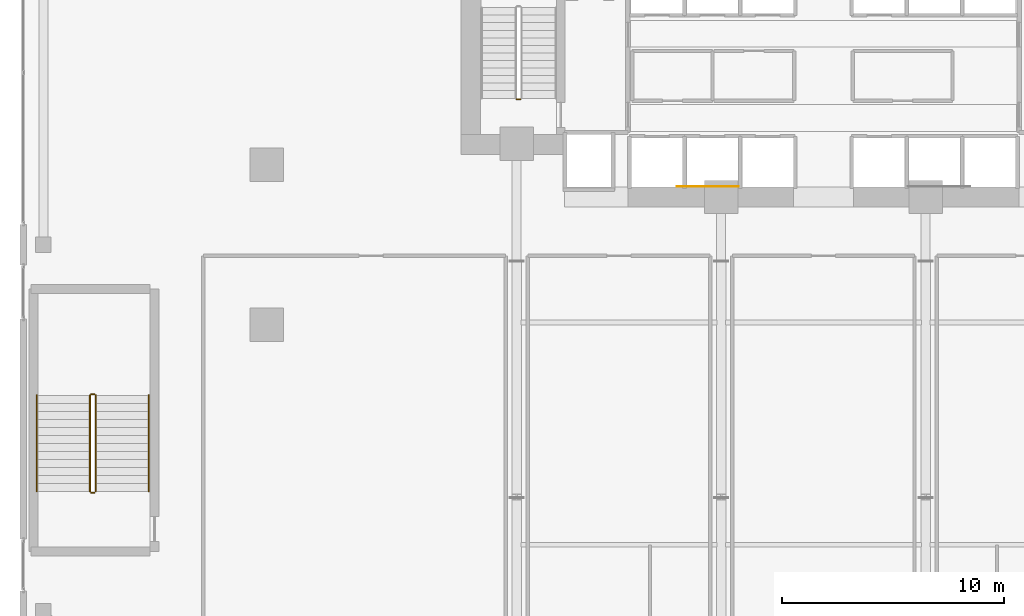
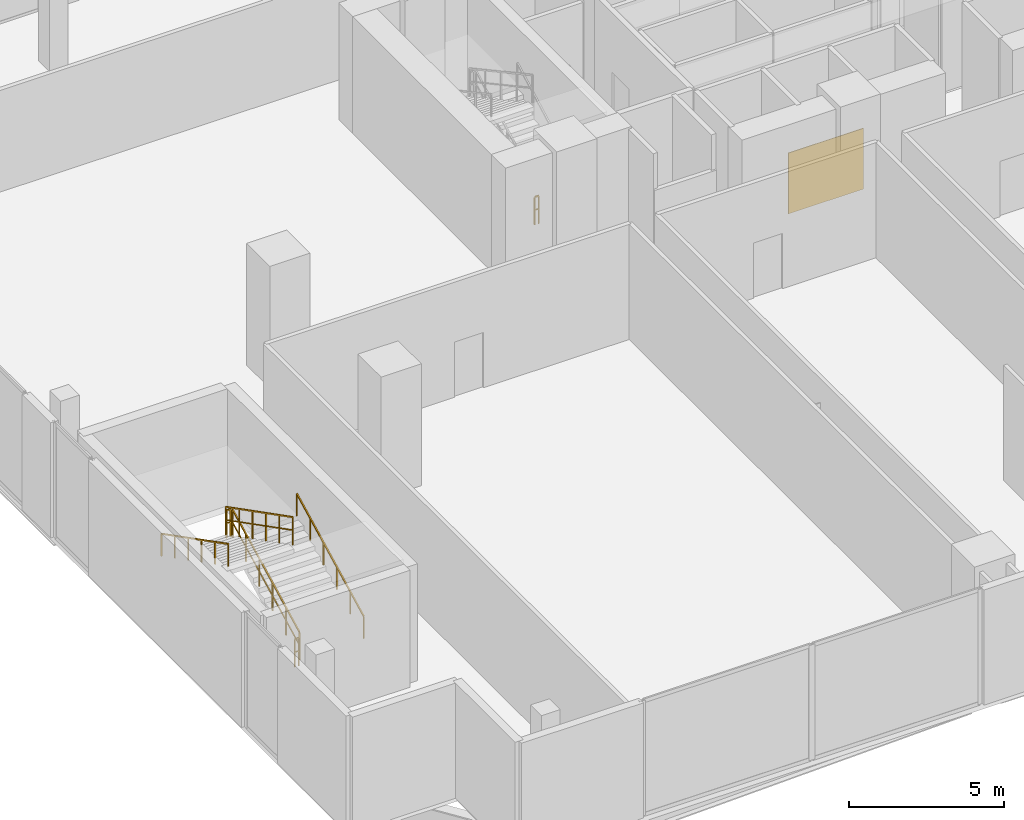
# One storey, part 30 of 33: 7 railings, 1 covering.
"""IFC4 building model written with IfcOpenShell, lengths in metres."""

from ifc_helpers import new_model, si_unit, direction, frame, origin, origin_2d, place, context, subcontext, project, spatial, rectangle, extrude, material, layer, layer_set, type_object, element, save


model = new_model("IFC4")

# Units and contexts
model_context = context("Model", 3, precision=1e-05, world=origin(), true_north=direction((0.0, 1.0)))
body_context = subcontext(model_context, "Body", "Model", "MODEL_VIEW")
ifc_project = project(units=[si_unit("LENGTHUNIT", "METRE"), si_unit("AREAUNIT", "SQUARE_METRE"), si_unit("VOLUMEUNIT", "CUBIC_METRE"), si_unit("PLANEANGLEUNIT", "RADIAN"), si_unit("MASSUNIT", "GRAM", prefix="KILO")], contexts=[model_context])

# Site, building, storey
site_placement = place(None, origin())
site = spatial("IfcSite", under=ifc_project, at=site_placement, CompositionType="ELEMENT")
building_placement = place(site_placement, origin())
building = spatial("IfcBuilding", under=site, at=building_placement, Name="Zuhayl Quay Hotel", CompositionType="ELEMENT")
storey_placement = place(building_placement, frame((0.0, 0.0, 18.0)))
storey = spatial("IfcBuildingStorey", under=building, at=storey_placement, Name="L03", CompositionType="ELEMENT", Elevation=18.0)

# Covering
ifc_material_1 = material(Name="Acoustic Walnut Feature Timber", Category="wood")
ifc_layer = layer(ifc_material_1, 0.02197265625, Name="Acoustic Walnut Feature Timber", Category="wood")
ifc_layer_set = layer_set([ifc_layer], Name="Acoustic Walnut Feature Timber")
covering_type = type_object("IfcCoveringType", Name="CV_WALL_CLAD", PredefinedType="CLADDING", material=ifc_layer_set)
covering_placement = place(storey_placement, frame((-5.199951171875, 2.611083984375, 0.300048828125), z_axis=(0.0, 0.0, 1.0), x_axis=(1.0, 0.0, 0.0)))
element("IfcCovering", 1, at=covering_placement, inside=storey, type_object=covering_type, Name="L03 Feature Lobby Walnut Wall Cladding W", PredefinedType="CLADDING", context=body_context, shape_type="SweptSolid", body=[
    extrude(rectangle(XDim=2.800048828125, YDim=0.02197265625, at=origin_2d()), origin(), (0.0, 0.0, 1.0), 2.39990234375),
])

# Railings
ifc_material_2 = material(Name="Steel ASTM A992 Grade 50", Category="steel")
railing_type_1 = type_object("IfcRailingType", Name="RL_GUARD_1100", PredefinedType="GUARDRAIL", material=ifc_material_2)
railing_1_placement = place(storey_placement, frame((-13.639892578125, 6.5400390625, 0.0)))
element("IfcRailing", 2, at=railing_1_placement, inside=storey, type_object=railing_type_1, Name="L03 ST1 stair guard 4", PredefinedType="GUARDRAIL", context=body_context, shape_type="SweptSolid", body=[
    extrude(rectangle(XDim=0.048095703125, YDim=0.048095703125, at=origin_2d()), frame((0.0, 0.0, 1.09619140625), z_axis=(-1.0, 0.0, 0.0), x_axis=(0.0, -1.0, 0.0)), (0.0, 0.0, 1.0), 0.150146484375),
    extrude(rectangle(XDim=0.0361328125, YDim=0.0361328125, at=origin_2d()), frame((0.0, 0.0, 0.58251953125), z_axis=(-1.0, 0.0, 0.0), x_axis=(0.0, -1.0, 0.0)), (0.0, 0.0, 1.0), 0.150146484375),
    extrude(rectangle(XDim=0.0419921875, YDim=0.0419921875, at=origin_2d()), origin(), (0.0, 0.0, 1.0), 1.072021484375),
    extrude(rectangle(XDim=0.0419921875, YDim=0.0419921875, at=origin_2d()), frame((-0.150146484375, 0.0, 0.0)), (0.0, 0.0, 1.0), 1.072021484375),
])
railing_2_placement = place(storey_placement, frame((-32.75, -11.10009765625, 0.1845703125)))
element("IfcRailing", 3, at=railing_2_placement, inside=storey, type_object=railing_type_1, Name="L03 ST3 stair guard 1", PredefinedType="GUARDRAIL", context=body_context, shape_type="SweptSolid", body=[
    extrude(rectangle(XDim=0.048095703125, YDim=0.048095703125, at=origin_2d()), frame((0.0, 0.0, 1.09619140625), z_axis=(0.0, 0.889824792371, 0.456302354675), x_axis=(-1.0, 0.0, 0.0)), (0.0, 0.0, 1.0), 4.85498046875),
    extrude(rectangle(XDim=0.0361328125, YDim=0.0361328125, at=origin_2d()), frame((0.0, 0.0, 0.58251953125), z_axis=(0.0, 0.889824792371, 0.456302354675), x_axis=(-1.0, 0.0, 0.0)), (0.0, 0.0, 1.0), 4.85498046875),
    extrude(rectangle(XDim=0.0419921875, YDim=0.0419921875, at=origin_2d()), origin(), (0.0, 0.0, 1.0), 1.072021484375),
    extrude(rectangle(XDim=0.0419921875, YDim=0.0419921875, at=origin_2d()), frame((0.0, 0.864013671875, 0.443115234375)), (0.0, 0.0, 1.0), 1.072021484375),
    extrude(rectangle(XDim=0.0419921875, YDim=0.0419921875, at=origin_2d()), frame((0.0, 1.72802734375, 0.88623046875)), (0.0, 0.0, 1.0), 1.072021484375),
    extrude(rectangle(XDim=0.0419921875, YDim=0.0419921875, at=origin_2d()), frame((0.0, 2.592041015625, 1.3291015625)), (0.0, 0.0, 1.0), 1.072021484375),
    extrude(rectangle(XDim=0.0419921875, YDim=0.0419921875, at=origin_2d()), frame((0.0, 3.4560546875, 1.772216796875)), (0.0, 0.0, 1.0), 1.072021484375),
    extrude(rectangle(XDim=0.0419921875, YDim=0.0419921875, at=origin_2d()), frame((0.0, 4.320068359375, 2.21533203125)), (0.0, 0.0, 1.0), 1.072021484375),
])
railing_3_placement = place(storey_placement, frame((-32.800048828125, -6.72998046875, 2.39990234375)))
element("IfcRailing", 4, at=railing_3_placement, inside=storey, type_object=railing_type_1, Name="L03 ST3 stair guard 2", PredefinedType="GUARDRAIL", context=body_context, shape_type="SweptSolid", body=[
    extrude(rectangle(XDim=0.048095703125, YDim=0.048095703125, at=origin_2d()), frame((0.0, 0.0, 1.09619140625), z_axis=(-1.0, 0.0, 0.0), x_axis=(0.0, -1.0, 0.0)), (0.0, 0.0, 1.0), 0.14990234375),
    extrude(rectangle(XDim=0.0361328125, YDim=0.0361328125, at=origin_2d()), frame((0.0, 0.0, 0.58251953125), z_axis=(-1.0, 0.0, 0.0), x_axis=(0.0, -1.0, 0.0)), (0.0, 0.0, 1.0), 0.14990234375),
    extrude(rectangle(XDim=0.0419921875, YDim=0.0419921875, at=origin_2d()), origin(), (0.0, 0.0, 1.0), 1.072021484375),
    extrude(rectangle(XDim=0.0419921875, YDim=0.0419921875, at=origin_2d()), frame((-0.14990234375, 0.0, 0.0)), (0.0, 0.0, 1.0), 1.072021484375),
])
railing_4_placement = place(storey_placement, frame((-33.0, -6.780029296875, 2.584716796875)))
element("IfcRailing", 5, at=railing_4_placement, inside=storey, type_object=railing_type_1, Name="L03 ST3 stair guard 3", PredefinedType="GUARDRAIL", context=body_context, shape_type="SweptSolid", body=[
    extrude(rectangle(XDim=0.048095703125, YDim=0.048095703125, at=origin_2d()), frame((0.0, 0.0, 1.09619140625), z_axis=(0.0, -0.889824792371, 0.456302354675), x_axis=(1.0, 0.0, 0.0)), (0.0, 0.0, 1.0), 4.85498046875),
    extrude(rectangle(XDim=0.0361328125, YDim=0.0361328125, at=origin_2d()), frame((0.0, 0.0, 0.58251953125), z_axis=(0.0, -0.889824792371, 0.456302354675), x_axis=(1.0, 0.0, 0.0)), (0.0, 0.0, 1.0), 4.85498046875),
    extrude(rectangle(XDim=0.0419921875, YDim=0.0419921875, at=origin_2d()), origin(), (0.0, 0.0, 1.0), 1.072021484375),
    extrude(rectangle(XDim=0.0419921875, YDim=0.0419921875, at=origin_2d()), frame((0.0, -0.864013671875, 0.443115234375)), (0.0, 0.0, 1.0), 1.072021484375),
    extrude(rectangle(XDim=0.0419921875, YDim=0.0419921875, at=origin_2d()), frame((0.0, -1.72802734375, 0.88623046875)), (0.0, 0.0, 1.0), 1.072021484375),
    extrude(rectangle(XDim=0.0419921875, YDim=0.0419921875, at=origin_2d()), frame((0.0, -2.592041015625, 1.3291015625)), (0.0, 0.0, 1.0), 1.072021484375),
    extrude(rectangle(XDim=0.0419921875, YDim=0.0419921875, at=origin_2d()), frame((0.0, -3.4560546875, 1.772216796875)), (0.0, 0.0, 1.0), 1.072021484375),
    extrude(rectangle(XDim=0.0419921875, YDim=0.0419921875, at=origin_2d()), frame((0.0, -4.320068359375, 2.21533203125)), (0.0, 0.0, 1.0), 1.072021484375),
])
railing_5_placement = place(storey_placement, frame((-32.800048828125, -11.14990234375, 0.0)))
element("IfcRailing", 6, at=railing_5_placement, inside=storey, type_object=railing_type_1, Name="L03 ST3 stair guard 4", PredefinedType="GUARDRAIL", context=body_context, shape_type="SweptSolid", body=[
    extrude(rectangle(XDim=0.048095703125, YDim=0.048095703125, at=origin_2d()), frame((0.0, 0.0, 1.09619140625), z_axis=(-1.0, 0.0, 0.0), x_axis=(0.0, -1.0, 0.0)), (0.0, 0.0, 1.0), 0.14990234375),
    extrude(rectangle(XDim=0.0361328125, YDim=0.0361328125, at=origin_2d()), frame((0.0, 0.0, 0.58251953125), z_axis=(-1.0, 0.0, 0.0), x_axis=(0.0, -1.0, 0.0)), (0.0, 0.0, 1.0), 0.14990234375),
    extrude(rectangle(XDim=0.0419921875, YDim=0.0419921875, at=origin_2d()), origin(), (0.0, 0.0, 1.0), 1.072021484375),
    extrude(rectangle(XDim=0.0419921875, YDim=0.0419921875, at=origin_2d()), frame((-0.14990234375, 0.0, 0.0)), (0.0, 0.0, 1.0), 1.072021484375),
])
railing_type_2 = type_object("IfcRailingType", Name="RL_HANDRAIL_920", PredefinedType="HANDRAIL", material=ifc_material_2)
railing_6_placement = place(storey_placement, frame((-30.35009765625, -11.10009765625, 0.1845703125)))
element("IfcRailing", 7, at=railing_6_placement, inside=storey, type_object=railing_type_2, Name="L03 ST3 stair handrail 1", PredefinedType="HANDRAIL", context=body_context, shape_type="SweptSolid", body=[
    extrude(rectangle(XDim=0.048095703125, YDim=0.048095703125, at=origin_2d()), frame((0.0, 0.0, 0.8759765625), z_axis=(0.0, 0.889824792371, 0.456302354675), x_axis=(-1.0, 0.0, 0.0)), (0.0, 0.0, 1.0), 4.85498046875),
    extrude(rectangle(XDim=0.0419921875, YDim=0.0419921875, at=origin_2d()), origin(), (0.0, 0.0, 1.0), 0.851806640625),
    extrude(rectangle(XDim=0.0419921875, YDim=0.0419921875, at=origin_2d()), frame((0.0, 0.864013671875, 0.443115234375)), (0.0, 0.0, 1.0), 0.851806640625),
    extrude(rectangle(XDim=0.0419921875, YDim=0.0419921875, at=origin_2d()), frame((0.0, 1.72802734375, 0.88623046875)), (0.0, 0.0, 1.0), 0.851806640625),
    extrude(rectangle(XDim=0.0419921875, YDim=0.0419921875, at=origin_2d()), frame((0.0, 2.592041015625, 1.3291015625)), (0.0, 0.0, 1.0), 0.851806640625),
    extrude(rectangle(XDim=0.0419921875, YDim=0.0419921875, at=origin_2d()), frame((0.0, 3.4560546875, 1.772216796875)), (0.0, 0.0, 1.0), 0.851806640625),
    extrude(rectangle(XDim=0.0419921875, YDim=0.0419921875, at=origin_2d()), frame((0.0, 4.320068359375, 2.21533203125)), (0.0, 0.0, 1.0), 0.851806640625),
])
railing_7_placement = place(storey_placement, frame((-35.39990234375, -6.780029296875, 2.584716796875)))
element("IfcRailing", 8, at=railing_7_placement, inside=storey, type_object=railing_type_2, Name="L03 ST3 stair handrail 2", PredefinedType="HANDRAIL", context=body_context, shape_type="SweptSolid", body=[
    extrude(rectangle(XDim=0.048095703125, YDim=0.048095703125, at=origin_2d()), frame((0.0, 0.0, 0.8759765625), z_axis=(0.0, -0.889824792371, 0.456302354675), x_axis=(1.0, 0.0, 0.0)), (0.0, 0.0, 1.0), 4.85498046875),
    extrude(rectangle(XDim=0.0419921875, YDim=0.0419921875, at=origin_2d()), origin(), (0.0, 0.0, 1.0), 0.851806640625),
    extrude(rectangle(XDim=0.0419921875, YDim=0.0419921875, at=origin_2d()), frame((0.0, -0.864013671875, 0.443115234375)), (0.0, 0.0, 1.0), 0.851806640625),
    extrude(rectangle(XDim=0.0419921875, YDim=0.0419921875, at=origin_2d()), frame((0.0, -1.72802734375, 0.88623046875)), (0.0, 0.0, 1.0), 0.851806640625),
    extrude(rectangle(XDim=0.0419921875, YDim=0.0419921875, at=origin_2d()), frame((0.0, -2.592041015625, 1.3291015625)), (0.0, 0.0, 1.0), 0.851806640625),
    extrude(rectangle(XDim=0.0419921875, YDim=0.0419921875, at=origin_2d()), frame((0.0, -3.4560546875, 1.772216796875)), (0.0, 0.0, 1.0), 0.851806640625),
    extrude(rectangle(XDim=0.0419921875, YDim=0.0419921875, at=origin_2d()), frame((0.0, -4.320068359375, 2.21533203125)), (0.0, 0.0, 1.0), 0.851806640625),
])

save(model, "model.ifc")
